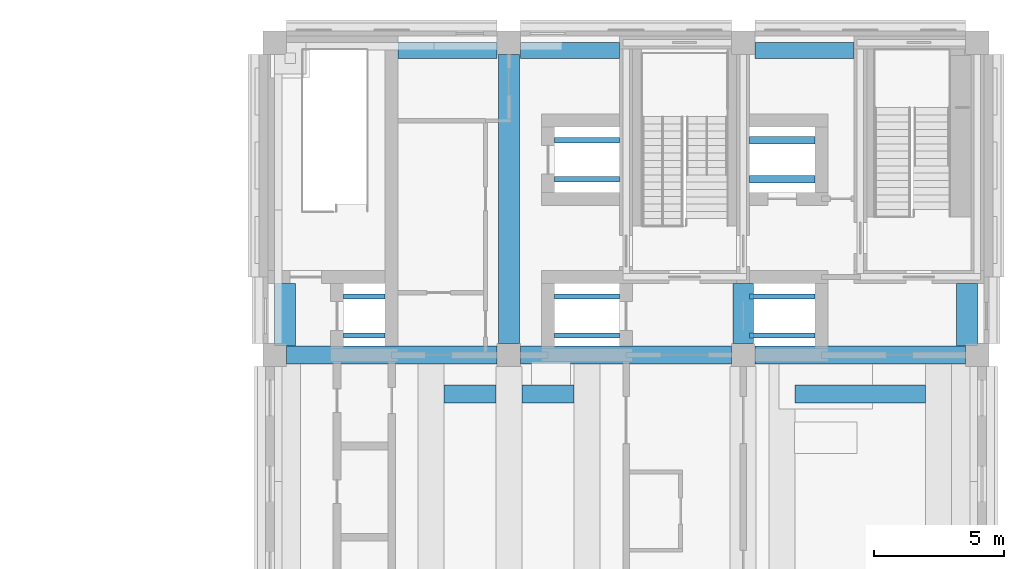
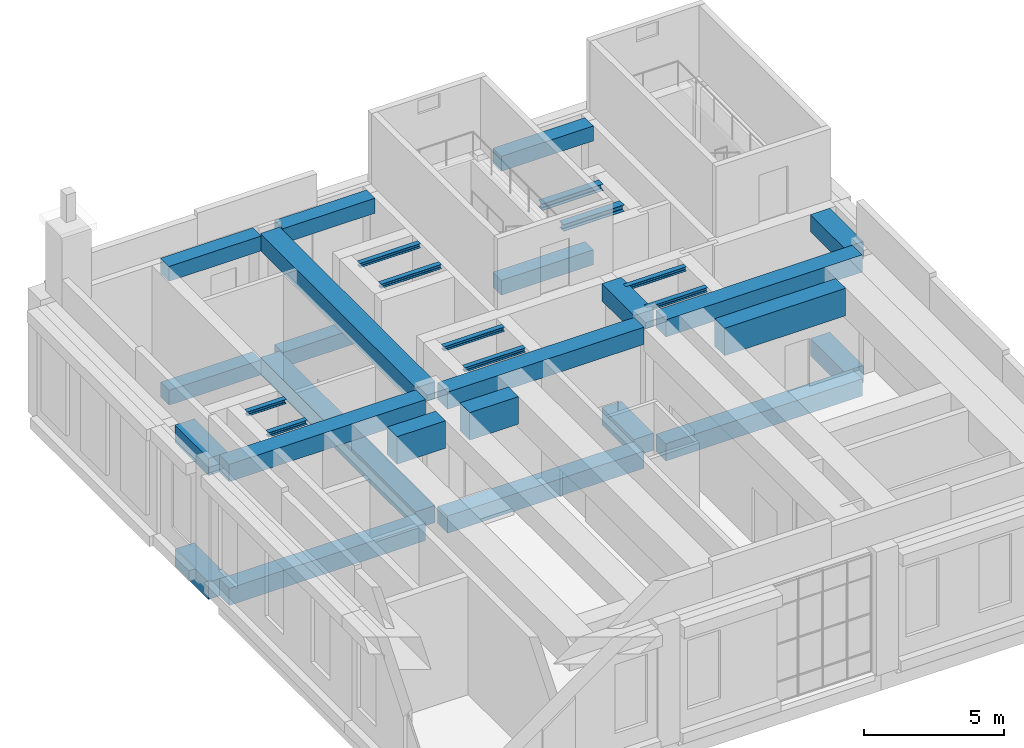
# One storey, part 5 of 22: 33 beams.
"""IFC4 building model written with IfcOpenShell, lengths in metres."""

from ifc_helpers import new_model, si_unit, direction, frame, origin, origin_2d, place, context, subcontext, project, spatial, rectangle, i_section, extrude, material, material_profile, profile_set, type_object, element, save


model = new_model("IFC4")

# Units and contexts
model_context = context("Model", 3, precision=1e-05, world=origin(), true_north=direction((0.0, 1.0)))
body_context = subcontext(model_context, "Body", "Model", "MODEL_VIEW")
ifc_project = project(units=[si_unit("LENGTHUNIT", "METRE"), si_unit("AREAUNIT", "SQUARE_METRE"), si_unit("VOLUMEUNIT", "CUBIC_METRE"), si_unit("PLANEANGLEUNIT", "RADIAN"), si_unit("MASSUNIT", "GRAM", prefix="KILO")], contexts=[model_context])

# Site, building, storey
site_placement = place(None, origin())
site = spatial("IfcSite", under=ifc_project, at=site_placement, CompositionType="ELEMENT")
building_placement = place(site_placement, origin())
building = spatial("IfcBuilding", under=site, at=building_placement, Name="Aurelan Courthouse", CompositionType="ELEMENT")
storey_placement = place(building_placement, frame((0.0, 0.0, 39.0)))
storey = spatial("IfcBuildingStorey", under=building, at=storey_placement, Name="L07", CompositionType="ELEMENT", Elevation=39.0)

# Beams
ifc_material_1 = material(Name="Steel S355", Category="steel")
ifc_material_profile_1 = material_profile(ifc_material_1, i_section(OverallWidth=0.199951171875, OverallDepth=0.18994140625, WebThickness=0.006591796875, FlangeThickness=0.010009765625, FilletRadius=0.01806640625, at=origin_2d()), Name="HEA 200")
ifc_profile_set_1 = profile_set([ifc_material_profile_1], Name="Steel S355")
beam_type_1 = type_object("IfcBeamType", Name="Hoist beam HEA 200", PredefinedType="BEAM", material=ifc_profile_set_1)
for number, where, z_axis, x_axis, name in (
    (1, (38.64990234375, 54.75, 5.054931640625), (1.0, 0.0, 0.0), (0.0, 1.0, 0.0), "Hoist beam HB-V2-C1-1"),
    (2, (38.64990234375, 56.25, 5.054931640625), (1.0, 0.0, 0.0), (0.0, 1.0, 0.0), "Hoist beam HB-V2-C1-2"),
):
    element("IfcBeam", number, at=place(storey_placement, frame(where, z_axis=z_axis, x_axis=x_axis)), inside=storey, type_object=beam_type_1, Name=name, PredefinedType="BEAM", context=body_context, shape_type="SweptSolid", body=[
        extrude(i_section(OverallWidth=0.199951171875, OverallDepth=0.18994140625, WebThickness=0.006591796875, FlangeThickness=0.010009765625, FilletRadius=0.01806640625, at=origin_2d()), origin(), (0.0, 0.0, 1.0), 1.60009765625),
    ])
for number, where, z_axis, x_axis, name in (
    (3, (46.75, 60.75, 5.054931640625), (1.0, 0.0, 0.0), (0.0, 1.0, 0.0), "Hoist beam HB-V2-J1-1"),
    (4, (46.75, 62.25, 5.054931640625), (1.0, 0.0, 0.0), (0.0, 1.0, 0.0), "Hoist beam HB-V2-J1-2"),
    (5, (46.75, 54.75, 5.054931640625), (1.0, 0.0, 0.0), (0.0, 1.0, 0.0), "Hoist beam HB-V2-P1-1"),
    (6, (46.75, 56.25, 5.054931640625), (1.0, 0.0, 0.0), (0.0, 1.0, 0.0), "Hoist beam HB-V2-P1-2"),
    (7, (54.25, 54.75, 5.054931640625), (1.0, 0.0, 0.0), (0.0, 1.0, 0.0), "Hoist beam HB-V2-P2-1"),
    (8, (54.25, 56.25, 5.054931640625), (1.0, 0.0, 0.0), (0.0, 1.0, 0.0), "Hoist beam HB-V2-P2-2"),
):
    element("IfcBeam", number, at=place(storey_placement, frame(where, z_axis=z_axis, x_axis=x_axis)), inside=storey, type_object=beam_type_1, Name=name, PredefinedType="BEAM", context=body_context, shape_type="SweptSolid", body=[
        extrude(i_section(OverallWidth=0.199951171875, OverallDepth=0.18994140625, WebThickness=0.006591796875, FlangeThickness=0.010009765625, FilletRadius=0.01806640625, at=origin_2d()), origin(), (0.0, 0.0, 1.0), 2.5),
    ])
ifc_material_profile_2 = material_profile(ifc_material_1, i_section(OverallWidth=0.300048828125, OverallDepth=0.2900390625, WebThickness=0.008544921875, FlangeThickness=0.013916015625, FilletRadius=0.027099609375, at=origin_2d()), Name="HEA 300")
ifc_profile_set_2 = profile_set([ifc_material_profile_2], Name="Steel S355")
beam_type_2 = type_object("IfcBeamType", Name="Hoist beam HEA 300", PredefinedType="BEAM", material=ifc_profile_set_2)
for number, where, z_axis, x_axis, name in (
    (9, (54.25, 60.75, 5.0048828125), (1.0, 0.0, 0.0), (0.0, 1.0, 0.0), "Hoist beam HB-V2-F1-1"),
    (10, (54.25, 62.25, 5.0048828125), (1.0, 0.0, 0.0), (0.0, 1.0, 0.0), "Hoist beam HB-V2-F1-2"),
):
    element("IfcBeam", number, at=place(storey_placement, frame(where, z_axis=z_axis, x_axis=x_axis)), inside=storey, type_object=beam_type_2, Name=name, PredefinedType="BEAM", context=body_context, shape_type="SweptSolid", body=[
        extrude(i_section(OverallWidth=0.300048828125, OverallDepth=0.2900390625, WebThickness=0.008544921875, FlangeThickness=0.013916015625, FilletRadius=0.027099609375, at=origin_2d()), origin(), (0.0, 0.0, 1.0), 2.5),
    ])
ifc_material_2 = material(Name="Concrete C50", Category="concrete")
ifc_material_profile_3 = material_profile(ifc_material_2, rectangle(XDim=0.699951171875, YDim=0.75, at=origin_2d()), Name="RC 700 x 750")
ifc_profile_set_3 = profile_set([ifc_material_profile_3], Name="Concrete C50")
beam_type_3 = type_object("IfcBeamType", Name="PT beam 700 x 750", PredefinedType="BEAM", material=ifc_profile_set_3)
for number, where, z_axis, x_axis, name in (
    (11, (36.449951171875, 54.0, -0.625), (1.0, 0.0, 0.0), (0.0, 1.0, 0.0), "Beam EB-E-5-6"),
    (12, (45.449951171875, 54.0, -0.625), (1.0, 0.0, 0.0), (0.0, 1.0, 0.0), "Beam EB-E-6-7"),
    (13, (54.449951171875, 54.0, -0.625), (1.0, 0.0, 0.0), (0.0, 1.0, 0.0), "Beam EB-E-7-8"),
    (14, (36.449951171875, 54.0, 4.77490234375), (1.0, 0.0, 0.0), (0.0, 1.0, 0.0), "Beam EB-E-5-6R"),
    (15, (45.449951171875, 54.0, 4.77490234375), (1.0, 0.0, 0.0), (0.0, 1.0, 0.0), "Beam EB-E-6-7R"),
    (16, (54.449951171875, 54.0, 4.77490234375), (1.0, 0.0, 0.0), (0.0, 1.0, 0.0), "Beam EB-E-7-8R"),
):
    element("IfcBeam", number, at=place(storey_placement, frame(where, z_axis=z_axis, x_axis=x_axis)), inside=storey, type_object=beam_type_3, Name=name, PredefinedType="BEAM", context=body_context, shape_type="SweptSolid", body=[
        extrude(rectangle(XDim=0.699951171875, YDim=0.75, at=origin_2d()), origin(), (0.0, 0.0, 1.0), 8.10009765625),
    ])
ifc_material_profile_4 = material_profile(ifc_material_2, rectangle(XDim=0.800048828125, YDim=0.75, at=origin_2d()), Name="RC 800 x 750")
ifc_profile_set_4 = profile_set([ifc_material_profile_4], Name="Concrete C50")
beam_type_4 = type_object("IfcBeamType", Name="PT girder 800 x 750", PredefinedType="BEAM", material=ifc_profile_set_4)
beam_1_placement = place(storey_placement, frame((36.39990234375, 54.35009765625, -0.625), z_axis=(0.0, 1.0, 0.0), x_axis=(-1.0, 0.0, 0.0)))
element("IfcBeam", 17, at=beam_1_placement, inside=storey, type_object=beam_type_4, Name="Girder GB-5EF-E", PredefinedType="BEAM", context=body_context, shape_type="SweptSolid", body=[
    extrude(rectangle(XDim=0.800048828125, YDim=0.75, at=origin_2d()), origin(), (0.0, 0.0, 1.0), 2.39990234375),
])
beam_2_placement = place(storey_placement, frame((45.0, 54.449951171875, -0.625), z_axis=(0.0, 1.0, 0.0), x_axis=(-1.0, 0.0, 0.0)))
element("IfcBeam", 18, at=beam_2_placement, inside=storey, type_object=beam_type_4, Name="Girder GB-6EF", PredefinedType="BEAM", context=body_context, shape_type="SweptSolid", body=[
    extrude(rectangle(XDim=0.800048828125, YDim=0.75, at=origin_2d()), origin(), (0.0, 0.0, 1.0), 11.10009765625),
])
beam_3_placement = place(storey_placement, frame((54.0, 54.449951171875, -0.625), z_axis=(0.0, 1.0, 0.0), x_axis=(-1.0, 0.0, 0.0)))
element("IfcBeam", 19, at=beam_3_placement, inside=storey, type_object=beam_type_4, Name="Girder GB-7EF", PredefinedType="BEAM", context=body_context, shape_type="SweptSolid", body=[
    extrude(rectangle(XDim=0.800048828125, YDim=0.75, at=origin_2d()), origin(), (0.0, 0.0, 1.0), 2.300048828125),
])
for number, where, z_axis, x_axis, name in (
    (20, (62.60009765625, 54.35009765625, -0.625), (0.0, 1.0, 0.0), (-1.0, 0.0, 0.0), "Girder GB-8EF-E"),
    (21, (36.39990234375, 54.35009765625, 4.77490234375), (0.0, 1.0, 0.0), (-1.0, 0.0, 0.0), "Girder GB-5EFER"),
):
    element("IfcBeam", number, at=place(storey_placement, frame(where, z_axis=z_axis, x_axis=x_axis)), inside=storey, type_object=beam_type_4, Name=name, PredefinedType="BEAM", context=body_context, shape_type="SweptSolid", body=[
        extrude(rectangle(XDim=0.800048828125, YDim=0.75, at=origin_2d()), origin(), (0.0, 0.0, 1.0), 2.39990234375),
    ])
beam_4_placement = place(storey_placement, frame((45.0, 54.449951171875, 4.77490234375), z_axis=(0.0, 1.0, 0.0), x_axis=(-1.0, 0.0, 0.0)))
element("IfcBeam", 22, at=beam_4_placement, inside=storey, type_object=beam_type_4, Name="Girder GB-6EFR", PredefinedType="BEAM", context=body_context, shape_type="SweptSolid", body=[
    extrude(rectangle(XDim=0.800048828125, YDim=0.75, at=origin_2d()), origin(), (0.0, 0.0, 1.0), 11.10009765625),
])
beam_5_placement = place(storey_placement, frame((54.0, 54.449951171875, 4.77490234375), z_axis=(0.0, 1.0, 0.0), x_axis=(-1.0, 0.0, 0.0)))
element("IfcBeam", 23, at=beam_5_placement, inside=storey, type_object=beam_type_4, Name="Girder GB-7EFR", PredefinedType="BEAM", context=body_context, shape_type="SweptSolid", body=[
    extrude(rectangle(XDim=0.800048828125, YDim=0.75, at=origin_2d()), origin(), (0.0, 0.0, 1.0), 2.300048828125),
])
beam_6_placement = place(storey_placement, frame((62.60009765625, 54.35009765625, 4.77490234375), z_axis=(0.0, 1.0, 0.0), x_axis=(-1.0, 0.0, 0.0)))
element("IfcBeam", 24, at=beam_6_placement, inside=storey, type_object=beam_type_4, Name="Girder GB-8EFER", PredefinedType="BEAM", context=body_context, shape_type="SweptSolid", body=[
    extrude(rectangle(XDim=0.800048828125, YDim=0.75, at=origin_2d()), origin(), (0.0, 0.0, 1.0), 2.39990234375),
])
ifc_material_profile_5 = material_profile(ifc_material_2, rectangle(XDim=0.60009765625, YDim=0.64990234375, at=origin_2d()), Name="RC 600 x 650")
ifc_profile_set_5 = profile_set([ifc_material_profile_5], Name="Concrete C50")
beam_type_5 = type_object("IfcBeamType", Name="RC spandrel beam 600 x 650", PredefinedType="SPANDREL", material=ifc_profile_set_5)
for number, where, z_axis, x_axis, name in (
    (25, (40.75, 65.699951171875, -0.574951171875), (1.0, 0.0, 0.0), (0.0, 1.0, 0.0), "Spandrel beam SB-F-5-6"),
    (26, (45.449951171875, 65.699951171875, -0.574951171875), (1.0, 0.0, 0.0), (0.0, 1.0, 0.0), "Spandrel beam SB-F-6-7"),
    (27, (54.449951171875, 65.699951171875, -0.574951171875), (1.0, 0.0, 0.0), (0.0, 1.0, 0.0), "Spandrel beam SB-F-7-8"),
    (28, (40.75, 65.699951171875, 4.824951171875), (1.0, 0.0, 0.0), (0.0, 1.0, 0.0), "Spandrel beam SB-F-5-6R"),
    (29, (45.449951171875, 65.699951171875, 4.824951171875), (1.0, 0.0, 0.0), (0.0, 1.0, 0.0), "Spandrel beam SB-F-6-7R"),
    (30, (54.449951171875, 65.699951171875, 4.824951171875), (1.0, 0.0, 0.0), (0.0, 1.0, 0.0), "Spandrel beam SB-F-7-8R"),
):
    element("IfcBeam", number, at=place(storey_placement, frame(where, z_axis=z_axis, x_axis=x_axis)), inside=storey, type_object=beam_type_5, Name=name, PredefinedType="SPANDREL", context=body_context, shape_type="SweptSolid", body=[
        extrude(rectangle(XDim=0.60009765625, YDim=0.64990234375, at=origin_2d()), origin(), (0.0, 0.0, 1.0), 3.800048828125),
    ])
ifc_material_3 = material(Name="Concrete C40", Category="concrete")
ifc_material_profile_6 = material_profile(ifc_material_3, rectangle(XDim=0.699951171875, YDim=1.199951171875, at=origin_2d()), Name="RC 700 x 1200")
ifc_profile_set_6 = profile_set([ifc_material_profile_6], Name="Concrete C40")
beam_type_6 = type_object("IfcBeamType", Name="RC trimmer beam 700 x 1200", PredefinedType="JOIST", material=ifc_profile_set_6)
for number, where, z_axis, x_axis, name in (
    (31, (42.5, 52.5, 4.550048828125), (1.0, 0.0, 0.0), (0.0, 1.0, 0.0), "Trimmer beam TB-L07-008"),
    (32, (45.5, 52.5, 4.550048828125), (1.0, 0.0, 0.0), (0.0, 1.0, 0.0), "Trimmer beam TB-L07-009"),
):
    element("IfcBeam", number, at=place(storey_placement, frame(where, z_axis=z_axis, x_axis=x_axis)), inside=storey, type_object=beam_type_6, Name=name, PredefinedType="JOIST", context=body_context, shape_type="SweptSolid", body=[
        extrude(rectangle(XDim=0.699951171875, YDim=1.199951171875, at=origin_2d()), origin(), (0.0, 0.0, 1.0), 2.0),
    ])
beam_7_placement = place(storey_placement, frame((56.0, 52.5, 4.550048828125), z_axis=(1.0, 0.0, 0.0), x_axis=(0.0, 1.0, 0.0)))
element("IfcBeam", 33, at=beam_7_placement, inside=storey, type_object=beam_type_6, Name="Trimmer beam TB-L07-010", PredefinedType="JOIST", context=body_context, shape_type="SweptSolid", body=[
    extrude(rectangle(XDim=0.699951171875, YDim=1.199951171875, at=origin_2d()), origin(), (0.0, 0.0, 1.0), 5.0),
])

save(model, "model.ifc")
